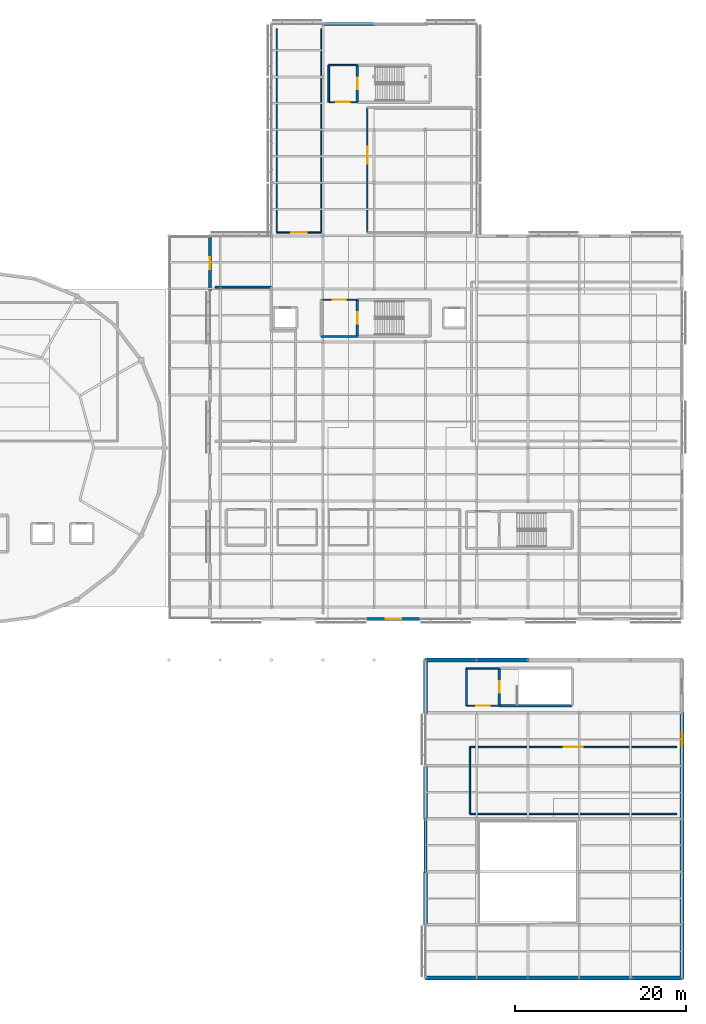
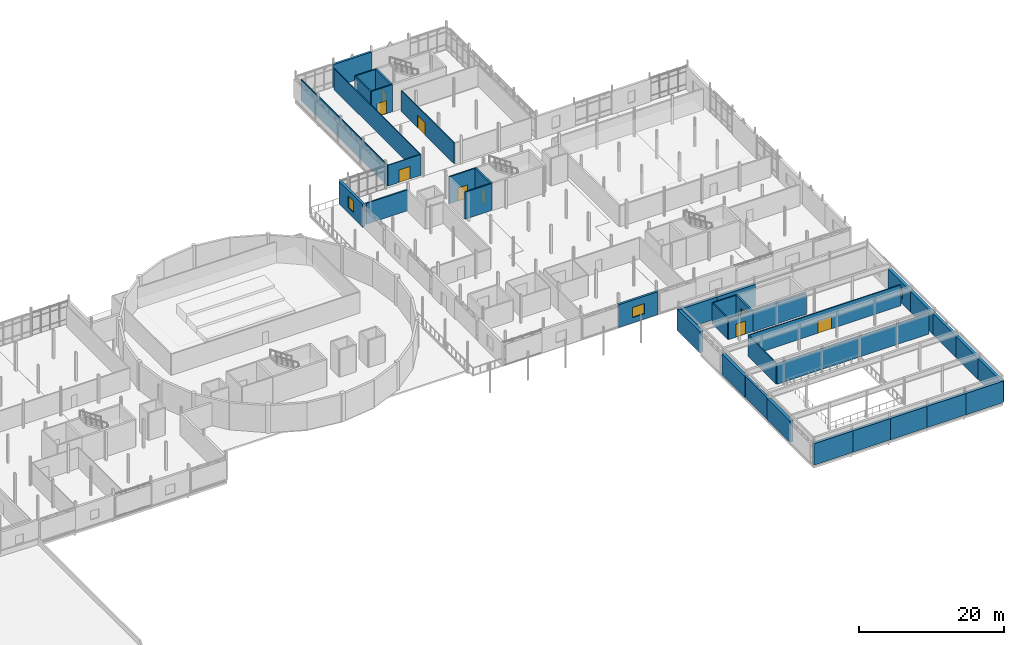
# One storey, part 61 of 84: 39 walls, 9 doors, 3 windows, 12 openings.
"""IFC4 building model written with IfcOpenShell, lengths in metres."""

from ifc_helpers import new_model, si_unit, direction, frame, frame_2d, origin, place, context, subcontext, project, spatial, rectangle, extrude, material, layer, layer_set, type_object, element, fill, save


model = new_model("IFC4")

# Units and contexts
model_context = context("Model", 3, precision=1e-05, world=origin(), true_north=direction((0.0, 1.0)))
body_context = subcontext(model_context, "Body", "Model", "MODEL_VIEW")
ifc_project = project(units=[si_unit("LENGTHUNIT", "METRE"), si_unit("AREAUNIT", "SQUARE_METRE"), si_unit("VOLUMEUNIT", "CUBIC_METRE"), si_unit("PLANEANGLEUNIT", "RADIAN"), si_unit("MASSUNIT", "GRAM", prefix="KILO")], contexts=[model_context])

# Site, building, storey
site_placement = place(None, origin())
site = spatial("IfcSite", under=ifc_project, at=site_placement, CompositionType="ELEMENT")
building_placement = place(site_placement, origin())
building = spatial("IfcBuilding", under=site, at=building_placement, Name="Mirzam Square Science Centre", CompositionType="ELEMENT")
storey_placement = place(building_placement, frame((0.0, 0.0, 10.800048828125)))
storey = spatial("IfcBuildingStorey", under=building, at=storey_placement, Name="L02", CompositionType="ELEMENT", Elevation=10.800048828125)

# Wall, opening, door
ifc_material_1 = material(Name="Concrete C45/55", Category="concrete")
ifc_layer_1 = layer(ifc_material_1, 0.300048828125)
ifc_layer_set_1 = layer_set([ifc_layer_1], Name="W-CORE-300")
wall_type_1 = type_object("IfcWallType", Name="W-CORE-300", PredefinedType="SHEAR", material=ifc_layer_set_1)
wall_1_placement = place(storey_placement, frame((124.0400390625, 79.330078125, 0.0), z_axis=(0.0, 0.0, 1.0), x_axis=(0.0, -1.0, 0.0)))
wall_1 = element("IfcWall", 1, at=wall_1_placement, inside=storey, type_object=wall_type_1, Name="L02 CORE-4 west wall", PredefinedType="SHEAR", context=body_context, shape_type="SweptSolid", body=[
    extrude(rectangle(XDim=4.2900390625, YDim=0.300048828125, at=frame_2d((2.14501953125, 0.0))), origin(), (0.0, 0.0, 1.0), 4.550048828125),
])
opening_1_placement = place(wall_1_placement, frame((1.469970703125, 0.0, 0.0)))
opening_1 = element("IfcOpeningElement", 2, at=opening_1_placement, cuts=wall_1, Name="Opening DS-01", PredefinedType="OPENING", context=body_context, shape_type="SweptSolid", body=[
    extrude(rectangle(XDim=1.35009765625, YDim=2.199951171875, at=frame_2d((0.675048828125, 1.10009765625))), frame((0.0, 0.159912109375, 0.0), z_axis=(0.0, -1.0, 0.0), x_axis=(1.0, 0.0, 0.0)), (0.0, 0.0, 1.0), 0.320068359375),
])
ifc_material_2 = material(Name="Fire-Rated Powder-Coated Architectural Steel Door", Category="steel")
door_type_1 = type_object("IfcDoorType", Name="DR-STAIR-1350x2200", OperationType="NOTDEFINED", PredefinedType="DOOR", material=ifc_material_2)
door_1_placement = place(opening_1_placement, origin())
door_1 = element("IfcDoor", 3, at=door_1_placement, inside=storey, type_object=door_type_1, Name="DRS-4-L02", OperationType="SINGLE_SWING_RIGHT", OverallHeight=2.199951171875, OverallWidth=1.35009765625, PredefinedType="DOOR", context=body_context, shape_type="SweptSolid", body=[
    extrude(rectangle(XDim=1.35009765625, YDim=2.199951171875, at=frame_2d((0.675048828125, 1.10009765625))), frame((0.0, 0.02490234375, 0.0), z_axis=(0.0, -1.0, 0.0), x_axis=(1.0, 0.0, 0.0)), (0.0, 0.0, 1.0), 0.050048828125),
])
fill(opening_1, door_1)

# Wall
wall_2_placement = place(storey_placement, frame((140.639892578125, 31.840087890625, 0.0), z_axis=(0.0, 0.0, 1.0), x_axis=(1.0, 0.0, 0.0)))
element("IfcWall", 4, at=wall_2_placement, inside=storey, type_object=wall_type_1, Name="L02 CORE-6 south wall", PredefinedType="SHEAR", context=body_context, shape_type="SweptSolid", body=[
    extrude(rectangle(XDim=8.52001953125, YDim=0.300048828125, at=frame_2d((4.260009765625, 0.0))), origin(), (0.0, 0.0, 1.0), 3.52001953125),
])

# Wall, opening, door
wall_3_placement = place(storey_placement, frame((140.639892578125, 36.2099609375, 0.0), z_axis=(0.0, 0.0, 1.0), x_axis=(0.0, -1.0, 0.0)))
wall_3 = element("IfcWall", 5, at=wall_3_placement, inside=storey, type_object=wall_type_1, Name="L02 CORE-6 west wall", PredefinedType="SHEAR", context=body_context, shape_type="SweptSolid", body=[
    extrude(rectangle(XDim=4.369873046875, YDim=0.300048828125, at=frame_2d((2.18505859375, 0.0))), origin(), (0.0, 0.0, 1.0), 3.52001953125),
])
opening_2_placement = place(wall_3_placement, frame((1.510009765625, 0.0, 0.0)))
opening_2 = element("IfcOpeningElement", 6, at=opening_2_placement, cuts=wall_3, Name="Opening DS-01", PredefinedType="OPENING", context=body_context, shape_type="SweptSolid", body=[
    extrude(rectangle(XDim=1.35009765625, YDim=2.199951171875, at=frame_2d((0.675048828125, 1.10009765625))), frame((0.0, 0.159912109375, 0.0), z_axis=(0.0, -1.0, 0.0), x_axis=(1.0, 0.0, 0.0)), (0.0, 0.0, 1.0), 0.320068359375),
])
door_2_placement = place(opening_2_placement, origin())
door_2 = element("IfcDoor", 7, at=door_2_placement, inside=storey, type_object=door_type_1, Name="DRS-6-L02", OperationType="SINGLE_SWING_LEFT", OverallHeight=2.199951171875, OverallWidth=1.35009765625, PredefinedType="DOOR", context=body_context, shape_type="SweptSolid", body=[
    extrude(rectangle(XDim=1.35009765625, YDim=2.199951171875, at=frame_2d((0.675048828125, 1.10009765625))), frame((0.0, 0.02490234375, 0.0), z_axis=(0.0, -1.0, 0.0), x_axis=(1.0, 0.0, 0.0)), (0.0, 0.0, 1.0), 0.050048828125),
])
fill(opening_2, door_2)

wall_4_placement = place(storey_placement, frame((124.0400390625, 106.77001953125, 0.0), z_axis=(0.0, 0.0, 1.0), x_axis=(0.0, -1.0, 0.0)))
wall_4 = element("IfcWall", 8, at=wall_4_placement, inside=storey, type_object=wall_type_1, Name="L02 CORE-7 west wall", PredefinedType="SHEAR", context=body_context, shape_type="SweptSolid", body=[
    extrude(rectangle(XDim=4.330078125, YDim=0.300048828125, at=frame_2d((2.1650390625, 0.0))), origin(), (0.0, 0.0, 1.0), 4.550048828125),
])
opening_3_placement = place(wall_4_placement, frame((1.489990234375, 0.0, 0.0)))
opening_3 = element("IfcOpeningElement", 9, at=opening_3_placement, cuts=wall_4, Name="Opening DS-01", PredefinedType="OPENING", context=body_context, shape_type="SweptSolid", body=[
    extrude(rectangle(XDim=1.35009765625, YDim=2.199951171875, at=frame_2d((0.675048828125, 1.10009765625))), frame((0.0, 0.159912109375, 0.0), z_axis=(0.0, -1.0, 0.0), x_axis=(1.0, 0.0, 0.0)), (0.0, 0.0, 1.0), 0.320068359375),
])
door_3_placement = place(opening_3_placement, origin())
door_3 = element("IfcDoor", 10, at=door_3_placement, inside=storey, type_object=door_type_1, Name="DRS-7-L02", OperationType="SINGLE_SWING_LEFT", OverallHeight=2.199951171875, OverallWidth=1.35009765625, PredefinedType="DOOR", context=body_context, shape_type="SweptSolid", body=[
    extrude(rectangle(XDim=1.35009765625, YDim=2.199951171875, at=frame_2d((0.675048828125, 1.10009765625))), frame((0.0, 0.02490234375, 0.0), z_axis=(0.0, -1.0, 0.0), x_axis=(1.0, 0.0, 0.0)), (0.0, 0.0, 1.0), 0.050048828125),
])
fill(opening_3, door_3)

# Walls
ifc_material_3 = material(Name="Acoustic Ashlar Limestone Concrete C45/55", Category="masonry")
ifc_layer_2 = layer(ifc_material_3, 0.465087890625)
ifc_layer_set_2 = layer_set([ifc_layer_2], Name="W-EXT-ACOUST-465")
wall_type_2 = type_object("IfcWallType", Name="W-EXT-ACOUST-465", PredefinedType="SOLIDWALL", material=ifc_layer_set_2)
wall_5_placement = place(storey_placement, frame((162.0, -0.074951171875, 0.0), z_axis=(0.0, 0.0, 1.0), x_axis=(0.0, 1.0, 0.0)))
element("IfcWall", 11, at=wall_5_placement, inside=storey, type_object=wall_type_2, Name="L02 external wall EW-TH-E-L02-01", PredefinedType="SOLIDWALL", context=body_context, shape_type="SweptSolid", body=[
    extrude(rectangle(XDim=6.349853515625, YDim=0.465087890625, at=frame_2d((3.1748046875, 0.0))), origin(), (0.0, 0.0, 1.0), 3.579833984375),
])
for number, where, z_axis, x_axis, name in (
    (12, (162.0, 6.125, 0.0), (0.0, 0.0, 1.0), (0.0, 1.0, 0.0), "L02 external wall EW-TH-E-L02-02"),
    (13, (162.0, 12.324951171875, 0.0), (0.0, 0.0, 1.0), (0.0, 1.0, 0.0), "L02 external wall EW-TH-E-L02-03"),
    (14, (162.0, 18.52490234375, 0.0), (0.0, 0.0, 1.0), (0.0, 1.0, 0.0), "L02 external wall EW-TH-E-L02-04"),
):
    element("IfcWall", number, at=place(storey_placement, frame(where, z_axis=z_axis, x_axis=x_axis)), inside=storey, type_object=wall_type_2, Name=name, PredefinedType="SOLIDWALL", context=body_context, shape_type="SweptSolid", body=[
        extrude(rectangle(XDim=6.35009765625, YDim=0.465087890625, at=frame_2d((3.175048828125, 0.0))), origin(), (0.0, 0.0, 1.0), 3.579833984375),
    ])

# Wall, opening, window
wall_6_placement = place(storey_placement, frame((162.0, 24.72509765625, 0.0), z_axis=(0.0, 0.0, 1.0), x_axis=(0.0, 1.0, 0.0)))
wall_6 = element("IfcWall", 15, at=wall_6_placement, inside=storey, type_object=wall_type_2, Name="L02 external wall EW-TH-E-L02-05", PredefinedType="SOLIDWALL", context=body_context, shape_type="SweptSolid", body=[
    extrude(rectangle(XDim=6.349853515625, YDim=0.465087890625, at=frame_2d((3.1748046875, 0.0))), origin(), (0.0, 0.0, 1.0), 3.579833984375),
])
opening_4_placement = place(wall_6_placement, frame((2.39990234375, 0.0, 0.89990234375)))
opening_4 = element("IfcOpeningElement", 16, at=opening_4_placement, cuts=wall_6, Name="Opening W-04", PredefinedType="OPENING", context=body_context, shape_type="SweptSolid", body=[
    extrude(rectangle(XDim=1.550048828125, YDim=1.300048828125, at=frame_2d((0.77490234375, 0.64990234375))), frame((0.0, 0.242431640625, 0.0), z_axis=(0.0, -1.0, 0.0), x_axis=(1.0, 0.0, 0.0)), (0.0, 0.0, 1.0), 0.485107421875),
])
ifc_material_4 = material(Name="Thermally Broken Bronze Aluminium and Low-E Glass", Category="aluminium")
window_type_1 = type_object("IfcWindowType", Name="WIN-1550x1300", PartitioningType="SINGLE_PANEL", PredefinedType="WINDOW", material=ifc_material_4)
window_1_placement = place(opening_4_placement, origin())
window_1 = element("IfcWindow", 17, at=window_1_placement, inside=storey, type_object=window_type_1, Name="L02 solar window 048", OverallHeight=1.300048828125, OverallWidth=1.550048828125, PartitioningType="SINGLE_PANEL", PredefinedType="WINDOW", context=body_context, shape_type="SweptSolid", body=[
    extrude(rectangle(XDim=1.550048828125, YDim=1.300048828125, at=frame_2d((0.77490234375, 0.64990234375))), frame((0.0, 0.030029296875, 0.0), z_axis=(0.0, -1.0, 0.0), x_axis=(1.0, 0.0, 0.0)), (0.0, 0.0, 1.0), 0.06005859375),
])
fill(opening_4, window_1)

# Walls
for number, where, z_axis, x_axis, name in (
    (18, (132.0, 12.47509765625, 0.0), (0.0, 0.0, 1.0), (0.0, -1.0, 0.0), "L02 external wall EW-TH-W-L02-02"),
    (19, (132.0, 24.875, 0.0), (0.0, 0.0, 1.0), (0.0, -1.0, 0.0), "L02 external wall EW-TH-W-L02-04"),
):
    element("IfcWall", number, at=place(storey_placement, frame(where, z_axis=z_axis, x_axis=x_axis)), inside=storey, type_object=wall_type_2, Name=name, PredefinedType="SOLIDWALL", context=body_context, shape_type="SweptSolid", body=[
        extrude(rectangle(XDim=6.35009765625, YDim=0.465087890625, at=frame_2d((3.175048828125, 0.0))), origin(), (0.0, 0.0, 1.0), 3.579833984375),
    ])
wall_7_placement = place(storey_placement, frame((132.0, 37.27490234375, 0.0), z_axis=(0.0, 0.0, 1.0), x_axis=(0.0, -1.0, 0.0)))
element("IfcWall", 20, at=wall_7_placement, inside=storey, type_object=wall_type_2, Name="L02 external wall EW-TH-W-L02-06", PredefinedType="SOLIDWALL", context=body_context, shape_type="SweptSolid", body=[
    extrude(rectangle(XDim=6.349853515625, YDim=0.465087890625, at=frame_2d((3.1748046875, 0.0))), origin(), (0.0, 0.0, 1.0), 3.579833984375),
])
for number, where, z_axis, x_axis, name in (
    (21, (138.074951171875, 37.199951171875, 0.0), (0.0, 0.0, 1.0), (-1.0, 0.0, 0.0), "L02 external wall EW-TH-N-L02-23"),
    (22, (144.074951171875, 37.199951171875, 0.0), (0.0, 0.0, 1.0), (-1.0, 0.0, 0.0), "L02 external wall EW-TH-N-L02-24"),
):
    element("IfcWall", number, at=place(storey_placement, frame(where, z_axis=z_axis, x_axis=x_axis)), inside=storey, type_object=wall_type_2, Name=name, PredefinedType="SOLIDWALL", context=body_context, shape_type="SweptSolid", body=[
        extrude(rectangle(XDim=6.14990234375, YDim=0.465087890625, at=frame_2d((3.074951171875, 0.0))), origin(), (0.0, 0.0, 1.0), 3.579833984375),
    ])
ifc_layer_3 = layer(ifc_material_3, 0.47998046875)
ifc_layer_set_3 = layer_set([ifc_layer_3], Name="W-EXT-ACOUST-480")
wall_type_3 = type_object("IfcWallType", Name="W-EXT-ACOUST-480", PredefinedType="SOLIDWALL", material=ifc_layer_set_3)
for number, where, z_axis, x_axis, name in (
    (23, (131.925048828125, 0.0, 0.0), (0.0, 0.0, 1.0), (1.0, 0.0, 0.0), "L02 external wall EW-TH-S-L02-23"),
    (24, (137.925048828125, 0.0, 0.0), (0.0, 0.0, 1.0), (1.0, 0.0, 0.0), "L02 external wall EW-TH-S-L02-24"),
    (25, (143.925048828125, 0.0, 0.0), (0.0, 0.0, 1.0), (1.0, 0.0, 0.0), "L02 external wall EW-TH-S-L02-25"),
    (26, (149.925048828125, 0.0, 0.0), (0.0, 0.0, 1.0), (1.0, 0.0, 0.0), "L02 external wall EW-TH-S-L02-26"),
    (27, (155.925048828125, 0.0, 0.0), (0.0, 0.0, 1.0), (1.0, 0.0, 0.0), "L02 external wall EW-TH-S-L02-27"),
):
    element("IfcWall", number, at=place(storey_placement, frame(where, z_axis=z_axis, x_axis=x_axis)), inside=storey, type_object=wall_type_3, Name=name, PredefinedType="SOLIDWALL", context=body_context, shape_type="SweptSolid", body=[
        extrude(rectangle(XDim=6.14990234375, YDim=0.47998046875, at=frame_2d((3.074951171875, 0.0))), origin(), (0.0, 0.0, 1.0), 3.579833984375),
    ])

# Wall, opening, window
ifc_material_5 = material(Name="Insulated Sand-Toned GFRC Concrete C40/50", Category="concrete")
ifc_layer_4 = layer(ifc_material_5, 0.340087890625)
ifc_layer_set_4 = layer_set([ifc_layer_4], Name="W-EXT-GFRC-340")
wall_type_4 = type_object("IfcWallType", Name="W-EXT-GFRC-340", PredefinedType="SOLIDWALL", material=ifc_layer_set_4)
wall_8_placement = place(storey_placement, frame((125.125, 42.0, 0.0), z_axis=(0.0, 0.0, 1.0), x_axis=(1.0, 0.0, 0.0)))
wall_8 = element("IfcWall", 28, at=wall_8_placement, inside=storey, type_object=wall_type_4, Name="L02 external wall EW-EST-S-L02-04", PredefinedType="SOLIDWALL", context=body_context, shape_type="SweptSolid", body=[
    extrude(rectangle(XDim=6.283203125, YDim=0.340087890625, at=frame_2d((3.1416015625, 0.0))), origin(), (0.0, 0.0, 1.0), 3.83984375),
])
opening_5_placement = place(wall_8_placement, frame((2.216552734375, 0.0, 0.89990234375)))
opening_5 = element("IfcOpeningElement", 29, at=opening_5_placement, cuts=wall_8, Name="Opening W-28", PredefinedType="OPENING", context=body_context, shape_type="SweptSolid", body=[
    extrude(rectangle(XDim=1.85009765625, YDim=1.699951171875, at=frame_2d((0.925048828125, 0.85009765625))), frame((0.0, 0.179931640625, 0.0), z_axis=(0.0, -1.0, 0.0), x_axis=(1.0, 0.0, 0.0)), (0.0, 0.0, 1.0), 0.360107421875),
])
window_type_2 = type_object("IfcWindowType", Name="WIN-1850x1700", PartitioningType="DOUBLE_PANEL_VERTICAL", PredefinedType="WINDOW", material=ifc_material_4)
window_2_placement = place(opening_5_placement, origin())
window_2 = element("IfcWindow", 30, at=window_2_placement, inside=storey, type_object=window_type_2, Name="L02 solar window 072", OverallHeight=1.699951171875, OverallWidth=1.85009765625, PartitioningType="DOUBLE_PANEL_VERTICAL", PredefinedType="WINDOW", context=body_context, shape_type="SweptSolid", body=[
    extrude(rectangle(XDim=1.85009765625, YDim=1.699951171875, at=frame_2d((0.925048828125, 0.85009765625))), frame((0.0, 0.030029296875, 0.0), z_axis=(0.0, -1.0, 0.0), x_axis=(1.0, 0.0, 0.0)), (0.0, 0.0, 1.0), 0.06005859375),
])
fill(opening_5, window_2)

ifc_layer_5 = layer(ifc_material_5, 0.385009765625)
ifc_layer_set_5 = layer_set([ifc_layer_5], Name="W-EXT-GFRC-385")
wall_type_5 = type_object("IfcWallType", Name="W-EXT-GFRC-385", PredefinedType="SOLIDWALL", material=ifc_layer_set_5)
wall_9_placement = place(storey_placement, frame((106.800048828125, 86.875, 0.0), z_axis=(0.0, 0.0, 1.0), x_axis=(0.0, -1.0, 0.0)))
wall_9 = element("IfcWall", 31, at=wall_9_placement, inside=storey, type_object=wall_type_5, Name="L02 external wall EW-EST-W-L02-01", PredefinedType="SOLIDWALL", context=body_context, shape_type="SweptSolid", body=[
    extrude(rectangle(XDim=6.550048828125, YDim=0.385009765625, at=frame_2d((3.27490234375, 0.0))), origin(), (0.0, 0.0, 1.0), 3.83984375),
])
opening_6_placement = place(wall_9_placement, frame((2.574951171875, 0.0, 0.89990234375)))
opening_6 = element("IfcOpeningElement", 32, at=opening_6_placement, cuts=wall_9, Name="Opening W-36", PredefinedType="OPENING", context=body_context, shape_type="SweptSolid", body=[
    extrude(rectangle(XDim=1.39990234375, YDim=1.949951171875, at=frame_2d((0.699951171875, 0.97509765625))), frame((0.0, 0.202392578125, 0.0), z_axis=(0.0, -1.0, 0.0), x_axis=(1.0, 0.0, 0.0)), (0.0, 0.0, 1.0), 0.405029296875),
])
window_type_3 = type_object("IfcWindowType", Name="WIN-1400x1950", PartitioningType="SINGLE_PANEL", PredefinedType="WINDOW", material=ifc_material_4)
window_3_placement = place(opening_6_placement, origin())
window_3 = element("IfcWindow", 33, at=window_3_placement, inside=storey, type_object=window_type_3, Name="L02 solar window 080", OverallHeight=1.949951171875, OverallWidth=1.39990234375, PartitioningType="SINGLE_PANEL", PredefinedType="WINDOW", context=body_context, shape_type="SweptSolid", body=[
    extrude(rectangle(XDim=1.39990234375, YDim=1.949951171875, at=frame_2d((0.699951171875, 0.97509765625))), frame((0.0, 0.030029296875, 0.0), z_axis=(0.0, -1.0, 0.0), x_axis=(1.0, 0.0, 0.0)), (0.0, 0.0, 1.0), 0.06005859375),
])
fill(opening_6, window_3)

# Walls
ifc_material_6 = material(Name="Standing-Seam Zinc-Clad Concrete Backup C40/50", Category="concrete")
ifc_layer_6 = layer(ifc_material_6, 0.35009765625)
ifc_layer_set_6 = layer_set([ifc_layer_6], Name="W-EXT-METAL-350")
wall_type_6 = type_object("IfcWallType", Name="W-EXT-METAL-350", PredefinedType="SOLIDWALL", material=ifc_layer_set_6)
wall_10_placement = place(storey_placement, frame((132.0, 18.675048828125, 0.0), z_axis=(0.0, 0.0, 1.0), x_axis=(0.0, -1.0, 0.0)))
element("IfcWall", 34, at=wall_10_placement, inside=storey, type_object=wall_type_6, Name="L02 external wall EW-TH-W-L02-03", PredefinedType="SOLIDWALL", context=body_context, shape_type="SweptSolid", body=[
    extrude(rectangle(XDim=6.35009765625, YDim=0.35009765625, at=frame_2d((3.175048828125, 0.0))), origin(), (0.0, 0.0, 1.0), 3.579833984375),
])
wall_11_placement = place(storey_placement, frame((126.074951171875, 111.60009765625, 0.0), z_axis=(0.0, 0.0, 1.0), x_axis=(-1.0, 0.0, 0.0)))
element("IfcWall", 35, at=wall_11_placement, inside=storey, type_object=wall_type_6, Name="L02 external wall EW-NEP-N-L02-21", PredefinedType="SOLIDWALL", context=body_context, shape_type="SweptSolid", body=[
    extrude(rectangle(XDim=6.14990234375, YDim=0.35009765625, at=frame_2d((3.074951171875, 0.0))), origin(), (0.0, 0.0, 1.0), 3.83984375),
])
ifc_layer_7 = layer(ifc_material_1, 0.199951171875)
ifc_layer_set_7 = layer_set([ifc_layer_7], Name="W-LOBBY-200")
wall_type_7 = type_object("IfcWallType", Name="W-LOBBY-200", PredefinedType="SHEAR", material=ifc_layer_set_7)
wall_12_placement = place(storey_placement, frame((119.800048828125, 75.0400390625, 0.0), z_axis=(0.0, 0.0, 1.0), x_axis=(1.0, 0.0, 0.0)))
element("IfcWall", 36, at=wall_12_placement, inside=storey, type_object=wall_type_7, Name="L02 CORE-4 lobby south wall", PredefinedType="SHEAR", context=body_context, shape_type="SweptSolid", body=[
    extrude(rectangle(XDim=4.239990234375, YDim=0.199951171875, at=frame_2d((2.1201171875, 0.0))), origin(), (0.0, 0.0, 1.0), 4.550048828125),
])

# Wall, opening, door
wall_13_placement = place(storey_placement, frame((124.0400390625, 79.330078125, 0.0), z_axis=(0.0, 0.0, 1.0), x_axis=(-1.0, 0.0, 0.0)))
wall_13 = element("IfcWall", 37, at=wall_13_placement, inside=storey, type_object=wall_type_7, Name="L02 CORE-4 lobby north wall", PredefinedType="SHEAR", context=body_context, shape_type="SweptSolid", body=[
    extrude(rectangle(XDim=4.239990234375, YDim=0.199951171875, at=frame_2d((2.1201171875, 0.0))), origin(), (0.0, 0.0, 1.0), 4.550048828125),
])
opening_7_placement = place(wall_13_placement, frame((1.344970703125, 0.0, 0.0)))
opening_7 = element("IfcOpeningElement", 38, at=opening_7_placement, cuts=wall_13, Name="Opening DL-01", PredefinedType="OPENING", context=body_context, shape_type="SweptSolid", body=[
    extrude(rectangle(XDim=1.550048828125, YDim=2.199951171875, at=frame_2d((0.77490234375, 1.10009765625))), frame((0.0, 0.10986328125, 0.0), z_axis=(0.0, -1.0, 0.0), x_axis=(1.0, 0.0, 0.0)), (0.0, 0.0, 1.0), 0.219970703125),
])
ifc_material_7 = material(Name="Fire-Rated Glazed Architectural Steel Lobby Door", Category="steel")
door_type_2 = type_object("IfcDoorType", Name="DR-LOBBY-1550x2200", OperationType="DOUBLE_DOOR_SINGLE_SWING", PredefinedType="DOOR", material=ifc_material_7)
door_4_placement = place(opening_7_placement, origin())
door_4 = element("IfcDoor", 39, at=door_4_placement, inside=storey, type_object=door_type_2, Name="DRL-4-L02", OperationType="SINGLE_SWING_LEFT", OverallHeight=2.199951171875, OverallWidth=1.550048828125, PredefinedType="DOOR", context=body_context, shape_type="SweptSolid", body=[
    extrude(rectangle(XDim=1.550048828125, YDim=2.199951171875, at=frame_2d((0.77490234375, 1.10009765625))), frame((0.0, 0.02490234375, 0.0), z_axis=(0.0, -1.0, 0.0), x_axis=(1.0, 0.0, 0.0)), (0.0, 0.0, 1.0), 0.050048828125),
])
fill(opening_7, door_4)

wall_14_placement = place(storey_placement, frame((136.800048828125, 31.840087890625, 0.0), z_axis=(0.0, 0.0, 1.0), x_axis=(1.0, 0.0, 0.0)))
wall_14 = element("IfcWall", 40, at=wall_14_placement, inside=storey, type_object=wall_type_7, Name="L02 CORE-6 lobby south wall", PredefinedType="SHEAR", context=body_context, shape_type="SweptSolid", body=[
    extrude(rectangle(XDim=3.83984375, YDim=0.199951171875, at=frame_2d((1.919921875, 0.0))), origin(), (0.0, 0.0, 1.0), 3.52001953125),
])
opening_8_placement = place(wall_14_placement, frame((1.14501953125, 0.0, 0.0)))
opening_8 = element("IfcOpeningElement", 41, at=opening_8_placement, cuts=wall_14, Name="Opening DL-01", PredefinedType="OPENING", context=body_context, shape_type="SweptSolid", body=[
    extrude(rectangle(XDim=1.550048828125, YDim=2.199951171875, at=frame_2d((0.77490234375, 1.10009765625))), frame((0.0, 0.10986328125, 0.0), z_axis=(0.0, -1.0, 0.0), x_axis=(1.0, 0.0, 0.0)), (0.0, 0.0, 1.0), 0.219970703125),
])
door_5_placement = place(opening_8_placement, origin())
door_5 = element("IfcDoor", 42, at=door_5_placement, inside=storey, type_object=door_type_2, Name="DRL-6-L02", OperationType="SINGLE_SWING_LEFT", OverallHeight=2.199951171875, OverallWidth=1.550048828125, PredefinedType="DOOR", context=body_context, shape_type="SweptSolid", body=[
    extrude(rectangle(XDim=1.550048828125, YDim=2.199951171875, at=frame_2d((0.77490234375, 1.10009765625))), frame((0.0, 0.02490234375, 0.0), z_axis=(0.0, -1.0, 0.0), x_axis=(1.0, 0.0, 0.0)), (0.0, 0.0, 1.0), 0.050048828125),
])
fill(opening_8, door_5)

# Walls
wall_15_placement = place(storey_placement, frame((140.639892578125, 36.2099609375, 0.0), z_axis=(0.0, 0.0, 1.0), x_axis=(-1.0, 0.0, 0.0)))
element("IfcWall", 43, at=wall_15_placement, inside=storey, type_object=wall_type_7, Name="L02 CORE-6 lobby north wall", PredefinedType="SHEAR", context=body_context, shape_type="SweptSolid", body=[
    extrude(rectangle(XDim=3.83984375, YDim=0.199951171875, at=frame_2d((1.919921875, 0.0))), origin(), (0.0, 0.0, 1.0), 3.52001953125),
])
wall_16_placement = place(storey_placement, frame((136.800048828125, 36.2099609375, 0.0), z_axis=(0.0, 0.0, 1.0), x_axis=(0.0, -1.0, 0.0)))
element("IfcWall", 44, at=wall_16_placement, inside=storey, type_object=wall_type_7, Name="L02 CORE-6 lobby west wall", PredefinedType="SHEAR", context=body_context, shape_type="SweptSolid", body=[
    extrude(rectangle(XDim=4.369873046875, YDim=0.199951171875, at=frame_2d((2.18505859375, 0.0))), origin(), (0.0, 0.0, 1.0), 3.52001953125),
])

# Wall, opening, door
wall_17_placement = place(storey_placement, frame((120.699951171875, 102.43994140625, 0.0), z_axis=(0.0, 0.0, 1.0), x_axis=(1.0, 0.0, 0.0)))
wall_17 = element("IfcWall", 45, at=wall_17_placement, inside=storey, type_object=wall_type_7, Name="L02 CORE-7 lobby south wall", PredefinedType="SHEAR", context=body_context, shape_type="SweptSolid", body=[
    extrude(rectangle(XDim=3.340087890625, YDim=0.199951171875, at=frame_2d((1.669921875, 0.0))), origin(), (0.0, 0.0, 1.0), 4.550048828125),
])
opening_9_placement = place(wall_17_placement, frame((0.89501953125, 0.0, 0.0)))
opening_9 = element("IfcOpeningElement", 46, at=opening_9_placement, cuts=wall_17, Name="Opening DL-01", PredefinedType="OPENING", context=body_context, shape_type="SweptSolid", body=[
    extrude(rectangle(XDim=1.550048828125, YDim=2.199951171875, at=frame_2d((0.77490234375, 1.10009765625))), frame((0.0, 0.10986328125, 0.0), z_axis=(0.0, -1.0, 0.0), x_axis=(1.0, 0.0, 0.0)), (0.0, 0.0, 1.0), 0.219970703125),
])
door_6_placement = place(opening_9_placement, origin())
door_6 = element("IfcDoor", 47, at=door_6_placement, inside=storey, type_object=door_type_2, Name="DRL-7-L02", OperationType="SINGLE_SWING_LEFT", OverallHeight=2.199951171875, OverallWidth=1.550048828125, PredefinedType="DOOR", context=body_context, shape_type="SweptSolid", body=[
    extrude(rectangle(XDim=1.550048828125, YDim=2.199951171875, at=frame_2d((0.77490234375, 1.10009765625))), frame((0.0, 0.02490234375, 0.0), z_axis=(0.0, -1.0, 0.0), x_axis=(1.0, 0.0, 0.0)), (0.0, 0.0, 1.0), 0.050048828125),
])
fill(opening_9, door_6)

# Walls
wall_18_placement = place(storey_placement, frame((124.0400390625, 106.77001953125, 0.0), z_axis=(0.0, 0.0, 1.0), x_axis=(-1.0, 0.0, 0.0)))
element("IfcWall", 48, at=wall_18_placement, inside=storey, type_object=wall_type_7, Name="L02 CORE-7 lobby north wall", PredefinedType="SHEAR", context=body_context, shape_type="SweptSolid", body=[
    extrude(rectangle(XDim=3.340087890625, YDim=0.199951171875, at=frame_2d((1.669921875, 0.0))), origin(), (0.0, 0.0, 1.0), 4.550048828125),
])
wall_19_placement = place(storey_placement, frame((120.699951171875, 106.77001953125, 0.0), z_axis=(0.0, 0.0, 1.0), x_axis=(0.0, -1.0, 0.0)))
element("IfcWall", 49, at=wall_19_placement, inside=storey, type_object=wall_type_7, Name="L02 CORE-7 lobby west wall", PredefinedType="SHEAR", context=body_context, shape_type="SweptSolid", body=[
    extrude(rectangle(XDim=4.330078125, YDim=0.199951171875, at=frame_2d((2.1650390625, 0.0))), origin(), (0.0, 0.0, 1.0), 4.550048828125),
])
ifc_material_8 = material(Name="Double-Board Gypsum Partition", Category="gypsum")
ifc_layer_8 = layer(ifc_material_8, 0.135009765625)
ifc_layer_set_8 = layer_set([ifc_layer_8], Name="W-PART-135")
wall_type_8 = type_object("IfcWallType", Name="W-PART-135", PredefinedType="PARTITIONING", material=ifc_layer_set_8)
wall_20_placement = place(storey_placement, frame((119.800048828125, 111.0, 0.0), z_axis=(0.0, 0.0, 1.0), x_axis=(0.0, -1.0, 0.0)))
element("IfcWall", 50, at=wall_20_placement, inside=storey, type_object=wall_type_8, Name="L02 Exhibit Curatorial Research Studio partition 203", PredefinedType="PARTITIONING", context=body_context, shape_type="SweptSolid", body=[
    extrude(rectangle(XDim=23.800048828125, YDim=0.135009765625, at=frame_2d((11.89990234375, 0.0))), origin(), (0.0, 0.0, 1.0), 3.52001953125),
])

# Wall, opening, door
wall_21_placement = place(storey_placement, frame((119.800048828125, 87.199951171875, 0.0), z_axis=(0.0, 0.0, 1.0), x_axis=(-1.0, 0.0, 0.0)))
wall_21 = element("IfcWall", 51, at=wall_21_placement, inside=storey, type_object=wall_type_8, Name="L02 Exhibit Curatorial Research Studio partition 204", PredefinedType="PARTITIONING", context=body_context, shape_type="SweptSolid", body=[
    extrude(rectangle(XDim=5.199951171875, YDim=0.135009765625, at=frame_2d((2.60009765625, 0.0))), origin(), (0.0, 0.0, 1.0), 3.52001953125),
])
opening_10_placement = place(wall_21_placement, frame((1.699951171875, 0.0, 0.0)))
opening_10 = element("IfcOpeningElement", 52, at=opening_10_placement, cuts=wall_21, Name="Opening D-09", PredefinedType="OPENING", context=body_context, shape_type="SweptSolid", body=[
    extrude(rectangle(XDim=1.800048828125, YDim=2.10009765625, at=frame_2d((0.89990234375, 1.050048828125))), frame((0.0, 0.077392578125, 0.0), z_axis=(0.0, -1.0, 0.0), x_axis=(1.0, 0.0, 0.0)), (0.0, 0.0, 1.0), 0.155029296875),
])
ifc_material_9 = material(Name="Powder-Coated Architectural Steel Acoustic Door", Category="steel")
door_type_3 = type_object("IfcDoorType", Name="DR-INT-1800x2100", OperationType="DOUBLE_DOOR_SINGLE_SWING", PredefinedType="DOOR", material=ifc_material_9)
door_7_placement = place(opening_10_placement, origin())
door_7 = element("IfcDoor", 53, at=door_7_placement, inside=storey, type_object=door_type_3, Name="ID-L02-0056", OperationType="DOUBLE_DOOR_SINGLE_SWING", OverallHeight=2.10009765625, OverallWidth=1.800048828125, PredefinedType="DOOR", context=body_context, shape_type="SweptSolid", body=[
    extrude(rectangle(XDim=1.800048828125, YDim=2.10009765625, at=frame_2d((0.89990234375, 1.050048828125))), frame((0.0, 0.02490234375, 0.0), z_axis=(0.0, -1.0, 0.0), x_axis=(1.0, 0.0, 0.0)), (0.0, 0.0, 1.0), 0.050048828125),
])
fill(opening_10, door_7)

# Wall
wall_22_placement = place(storey_placement, frame((114.60009765625, 87.199951171875, 0.0), z_axis=(0.0, 0.0, 1.0), x_axis=(0.0, 1.0, 0.0)))
element("IfcWall", 54, at=wall_22_placement, inside=storey, type_object=wall_type_8, Name="L02 Exhibit Curatorial Research Studio partition 205", PredefinedType="PARTITIONING", context=body_context, shape_type="SweptSolid", body=[
    extrude(rectangle(XDim=23.800048828125, YDim=0.135009765625, at=frame_2d((11.89990234375, 0.0))), origin(), (0.0, 0.0, 1.0), 3.52001953125),
])

# Wall, opening, door
ifc_material_10 = material(Name="Laboratory Acoustic Partition", Category="gypsum")
ifc_layer_9 = layer(ifc_material_10, 0.14990234375)
ifc_layer_set_9 = layer_set([ifc_layer_9], Name="W-PART-150")
wall_type_9 = type_object("IfcWallType", Name="W-PART-150", PredefinedType="PARTITIONING", material=ifc_layer_set_9)
wall_23_placement = place(storey_placement, frame((125.199951171875, 87.199951171875, 0.0), z_axis=(0.0, 0.0, 1.0), x_axis=(0.0, 1.0, 0.0)))
wall_23 = element("IfcWall", 55, at=wall_23_placement, inside=storey, type_object=wall_type_9, Name="L02 Scientific Instrument Conservation Studio partition 209", PredefinedType="PARTITIONING", context=body_context, shape_type="SweptSolid", body=[
    extrude(rectangle(XDim=14.60009765625, YDim=0.14990234375, at=frame_2d((7.300048828125, 0.0))), origin(), (0.0, 0.0, 1.0), 3.52001953125),
])
opening_11_placement = place(wall_23_placement, frame((8.052001953125, 0.0, 0.0)))
opening_11 = element("IfcOpeningElement", 56, at=opening_11_placement, cuts=wall_23, Name="Opening D-10", PredefinedType="OPENING", context=body_context, shape_type="SweptSolid", body=[
    extrude(rectangle(XDim=2.0, YDim=2.10009765625, at=frame_2d((1.0, 1.050048828125))), frame((0.0, 0.0849609375, 0.0), z_axis=(0.0, -1.0, 0.0), x_axis=(1.0, 0.0, 0.0)), (0.0, 0.0, 1.0), 0.169921875),
])
door_type_4 = type_object("IfcDoorType", Name="DR-INT-2000x2100", OperationType="DOUBLE_DOOR_SINGLE_SWING", PredefinedType="DOOR", material=ifc_material_9)
door_8_placement = place(opening_11_placement, origin())
door_8 = element("IfcDoor", 57, at=door_8_placement, inside=storey, type_object=door_type_4, Name="ID-L02-0057", OperationType="DOUBLE_DOOR_SINGLE_SWING", OverallHeight=2.10009765625, OverallWidth=2.0, PredefinedType="DOOR", context=body_context, shape_type="SweptSolid", body=[
    extrude(rectangle(XDim=2.0, YDim=2.10009765625, at=frame_2d((1.0, 1.050048828125))), frame((0.0, 0.02490234375, 0.0), z_axis=(0.0, -1.0, 0.0), x_axis=(1.0, 0.0, 0.0)), (0.0, 0.0, 1.0), 0.050048828125),
])
fill(opening_11, door_8)

ifc_material_11 = material(Name="Wet-Area Moisture-Resistant Partition", Category="gypsum")
ifc_layer_10 = layer(ifc_material_11, 0.1650390625)
ifc_layer_set_10 = layer_set([ifc_layer_10], Name="W-PART-165")
wall_type_10 = type_object("IfcWallType", Name="W-PART-165", PredefinedType="PARTITIONING", material=ifc_layer_set_10)
wall_24_placement = place(storey_placement, frame((137.199951171875, 27.0, 0.0), z_axis=(0.0, 0.0, 1.0), x_axis=(1.0, 0.0, 0.0)))
wall_24 = element("IfcWall", 58, at=wall_24_placement, inside=storey, type_object=wall_type_10, Name="L02 Theatre Acoustic Technical and Dimmer Suite partition 210", PredefinedType="PARTITIONING", context=body_context, shape_type="SweptSolid", body=[
    extrude(rectangle(XDim=24.199951171875, YDim=0.1650390625, at=frame_2d((12.10009765625, 0.0))), origin(), (0.0, 0.0, 1.0), 3.52001953125),
])
opening_12_placement = place(wall_24_placement, frame((11.0, 0.0, 0.0)))
opening_12 = element("IfcOpeningElement", 59, at=opening_12_placement, cuts=wall_24, Name="Opening D-11", PredefinedType="OPENING", context=body_context, shape_type="SweptSolid", body=[
    extrude(rectangle(XDim=2.199951171875, YDim=2.10009765625, at=frame_2d((1.10009765625, 1.050048828125))), frame((0.0, 0.092529296875, 0.0), z_axis=(0.0, -1.0, 0.0), x_axis=(1.0, 0.0, 0.0)), (0.0, 0.0, 1.0), 0.18505859375),
])
door_type_5 = type_object("IfcDoorType", Name="DR-INT-2200x2100", OperationType="DOUBLE_DOOR_SINGLE_SWING", PredefinedType="DOOR", material=ifc_material_9)
door_9_placement = place(opening_12_placement, origin())
door_9 = element("IfcDoor", 60, at=door_9_placement, inside=storey, type_object=door_type_5, Name="ID-L02-0058", OperationType="DOUBLE_DOOR_SINGLE_SWING", OverallHeight=2.10009765625, OverallWidth=2.199951171875, PredefinedType="DOOR", context=body_context, shape_type="SweptSolid", body=[
    extrude(rectangle(XDim=2.199951171875, YDim=2.10009765625, at=frame_2d((1.10009765625, 1.050048828125))), frame((0.0, 0.02490234375, 0.0), z_axis=(0.0, -1.0, 0.0), x_axis=(1.0, 0.0, 0.0)), (0.0, 0.0, 1.0), 0.050048828125),
])
fill(opening_12, door_9)

# Walls
wall_25_placement = place(storey_placement, frame((161.39990234375, 19.199951171875, 0.0), z_axis=(0.0, 0.0, 1.0), x_axis=(-1.0, 0.0, 0.0)))
element("IfcWall", 61, at=wall_25_placement, inside=storey, type_object=wall_type_10, Name="L02 Theatre Acoustic Technical and Dimmer Suite partition 211", PredefinedType="PARTITIONING", context=body_context, shape_type="SweptSolid", body=[
    extrude(rectangle(XDim=24.199951171875, YDim=0.1650390625, at=frame_2d((12.10009765625, 0.0))), origin(), (0.0, 0.0, 1.0), 3.52001953125),
])
wall_26_placement = place(storey_placement, frame((137.199951171875, 19.199951171875, 0.0), z_axis=(0.0, 0.0, 1.0), x_axis=(0.0, 1.0, 0.0)))
element("IfcWall", 62, at=wall_26_placement, inside=storey, type_object=wall_type_10, Name="L02 Theatre Acoustic Technical and Dimmer Suite partition 212", PredefinedType="PARTITIONING", context=body_context, shape_type="SweptSolid", body=[
    extrude(rectangle(XDim=7.800048828125, YDim=0.1650390625, at=frame_2d((3.89990234375, 0.0))), origin(), (0.0, 0.0, 1.0), 3.52001953125),
])
ifc_material_12 = material(Name="Gallery Display Backing Wall Concrete C30/37", Category="concrete")
ifc_layer_11 = layer(ifc_material_12, 0.22998046875)
ifc_layer_set_11 = layer_set([ifc_layer_11], Name="W-PART-230")
wall_type_11 = type_object("IfcWallType", Name="W-PART-230", PredefinedType="PARTITIONING", material=ifc_layer_set_11)
wall_27_placement = place(storey_placement, frame((107.39990234375, 80.800048828125, 0.0), z_axis=(0.0, 0.0, 1.0), x_axis=(1.0, 0.0, 0.0)))
element("IfcWall", 63, at=wall_27_placement, inside=storey, type_object=wall_type_11, Name="L02 Water and Desalination Wet Laboratory 3 partition 189", PredefinedType="PARTITIONING", context=body_context, shape_type="SweptSolid", body=[
    extrude(rectangle(XDim=6.550048828125, YDim=0.22998046875, at=frame_2d((3.27490234375, 0.0))), origin(), (0.0, 0.0, 1.0), 3.52001953125),
])

save(model, "model.ifc")
